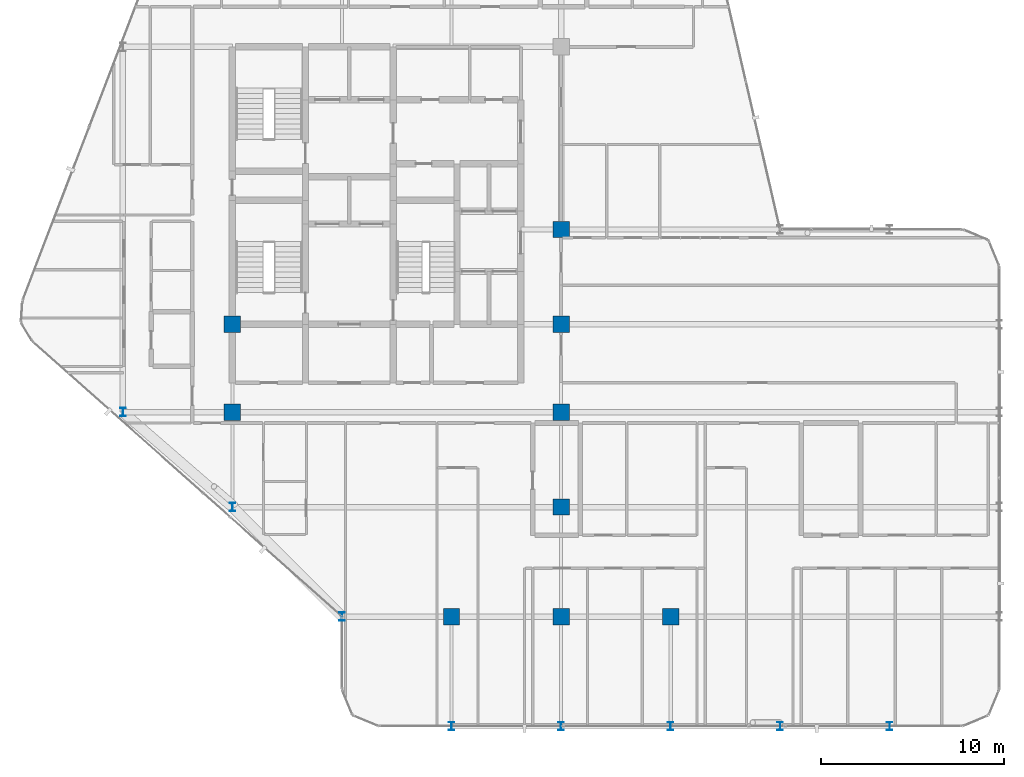
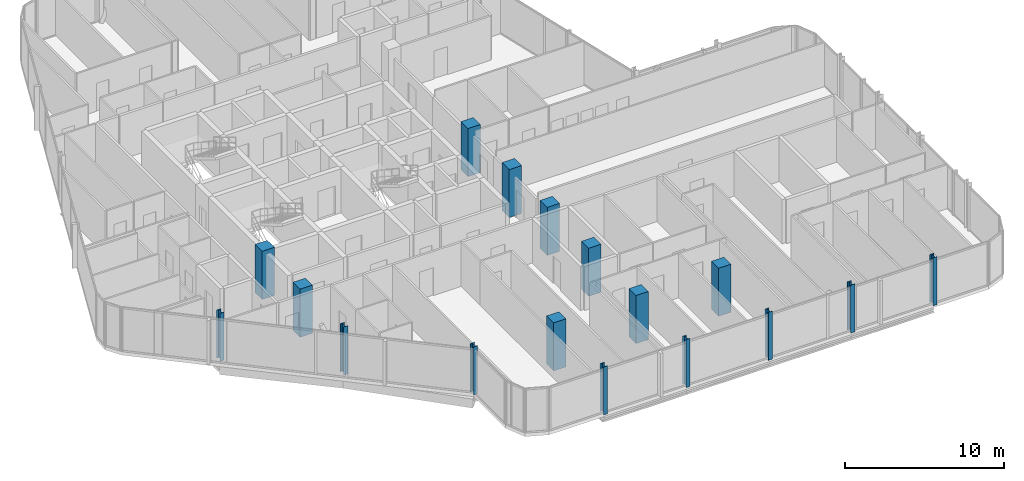
# One storey, part 1 of 29: 17 columns.
"""IFC4 building model written with IfcOpenShell, lengths in metres."""

from ifc_helpers import new_model, si_unit, direction, frame, origin, origin_2d, place, context, subcontext, project, spatial, rectangle, i_section, extrude, material, material_profile, profile_set, type_object, element, save


model = new_model("IFC4")

# Units and contexts
model_context = context("Model", 3, precision=1e-05, world=origin(), true_north=direction((0.0, 1.0)))
body_context = subcontext(model_context, "Body", "Model", "MODEL_VIEW")
ifc_project = project(units=[si_unit("LENGTHUNIT", "METRE"), si_unit("AREAUNIT", "SQUARE_METRE"), si_unit("VOLUMEUNIT", "CUBIC_METRE"), si_unit("PLANEANGLEUNIT", "RADIAN"), si_unit("MASSUNIT", "GRAM", prefix="KILO")], contexts=[model_context])

# Site, building, storey
site_placement = place(None, origin())
site = spatial("IfcSite", under=ifc_project, at=site_placement, CompositionType="ELEMENT")
building_placement = place(site_placement, origin())
building = spatial("IfcBuilding", under=site, at=building_placement, Name="Keshet Zoharim Tower", CompositionType="ELEMENT")
storey_placement = place(building_placement, frame((0.0, 0.0, 188.39990234375)))
storey = spatial("IfcBuildingStorey", under=building, at=storey_placement, Name="L46", CompositionType="ELEMENT", Elevation=188.39990234375)

# Columns
ifc_material_1 = material(Name="Steel S355", Category="steel")
ifc_material_profile_1 = material_profile(ifc_material_1, i_section(OverallWidth=0.300048828125, OverallDepth=0.449951171875, WebThickness=0.013916015625, FlangeThickness=0.02587890625, FilletRadius=0.027099609375, at=origin_2d()), Name="HEB450")
ifc_profile_set_1 = profile_set([ifc_material_profile_1], Name="Steel S355")
column_type_1 = type_object("IfcColumnType", Name="COL-HEB450", PredefinedType="COLUMN", material=ifc_profile_set_1)
for number, where, z_axis, x_axis, name in (
    (1, (9.0, 17.89990234375, 0.0), (0.0, 0.0, 1.0), (1.0, 0.0, 0.0), "L46 Column 2D"),
    (2, (15.0, 12.699951171875, 0.0), (0.0, 0.0, 1.0), (1.0, 0.0, 0.0), "L46 Column 3C"),
    (3, (21.0, 6.699951171875, 0.0), (0.0, 0.0, 1.0), (1.0, 0.0, 0.0), "L46 Column 4B"),
    (4, (27.0, 0.699951171875, 0.0), (0.0, 0.0, 1.0), (1.0, 0.0, 0.0), "L46 Column 5A"),
    (5, (33.0, 0.699951171875, 0.0), (0.0, 0.0, 1.0), (1.0, 0.0, 0.0), "L46 Column 6A"),
    (6, (39.0, 0.699951171875, 0.0), (0.0, 0.0, 1.0), (1.0, 0.0, 0.0), "L46 Column 7A"),
    (7, (45.0, 0.699951171875, 0.0), (0.0, 0.0, 1.0), (1.0, 0.0, 0.0), "L46 Column 8A"),
    (8, (51.0, 0.699951171875, 0.0), (0.0, 0.0, 1.0), (1.0, 0.0, 0.0), "L46 Column 9A"),
):
    element("IfcColumn", number, at=place(storey_placement, frame(where, z_axis=z_axis, x_axis=x_axis)), inside=storey, type_object=column_type_1, Name=name, PredefinedType="COLUMN", context=body_context, shape_type="SweptSolid", body=[
        extrude(i_section(OverallWidth=0.300048828125, OverallDepth=0.449951171875, WebThickness=0.013916015625, FlangeThickness=0.02587890625, FilletRadius=0.027099609375, at=origin_2d()), origin(), (0.0, 0.0, 1.0), 3.7001953125),
    ])
ifc_material_2 = material(Name="Concrete C60/75", Category="concrete")
ifc_material_profile_2 = material_profile(ifc_material_2, rectangle(XDim=0.89990234375, YDim=0.89990234375, at=origin_2d()), Name="RC900x900")
ifc_profile_set_2 = profile_set([ifc_material_profile_2], Name="Concrete C60/75")
column_type_2 = type_object("IfcColumnType", Name="COL-RC900", PredefinedType="COLUMN", material=ifc_profile_set_2)
for number, where, z_axis, x_axis, name in (
    (9, (15.0, 17.89990234375, 0.0), (0.0, 0.0, 1.0), (1.0, 0.0, 0.0), "L46 Column 3D"),
    (10, (15.0, 22.699951171875, 0.0), (0.0, 0.0, 1.0), (1.0, 0.0, 0.0), "L46 Column 3E"),
    (11, (27.0, 6.699951171875, 0.0), (0.0, 0.0, 1.0), (1.0, 0.0, 0.0), "L46 Column 5B"),
    (12, (33.0, 6.699951171875, 0.0), (0.0, 0.0, 1.0), (1.0, 0.0, 0.0), "L46 Column 6B"),
    (13, (33.0, 12.699951171875, 0.0), (0.0, 0.0, 1.0), (1.0, 0.0, 0.0), "L46 Column 6C"),
    (14, (33.0, 17.89990234375, 0.0), (0.0, 0.0, 1.0), (1.0, 0.0, 0.0), "L46 Column 6D"),
    (15, (33.0, 22.699951171875, 0.0), (0.0, 0.0, 1.0), (1.0, 0.0, 0.0), "L46 Column 6E"),
    (16, (33.0, 27.89990234375, 0.0), (0.0, 0.0, 1.0), (1.0, 0.0, 0.0), "L46 Column 6F"),
    (17, (39.0, 6.699951171875, 0.0), (0.0, 0.0, 1.0), (1.0, 0.0, 0.0), "L46 Column 7B"),
):
    element("IfcColumn", number, at=place(storey_placement, frame(where, z_axis=z_axis, x_axis=x_axis)), inside=storey, type_object=column_type_2, Name=name, PredefinedType="COLUMN", context=body_context, shape_type="SweptSolid", body=[
        extrude(rectangle(XDim=0.89990234375, YDim=0.89990234375, at=origin_2d()), origin(), (0.0, 0.0, 1.0), 3.7001953125),
    ])

save(model, "model.ifc")
